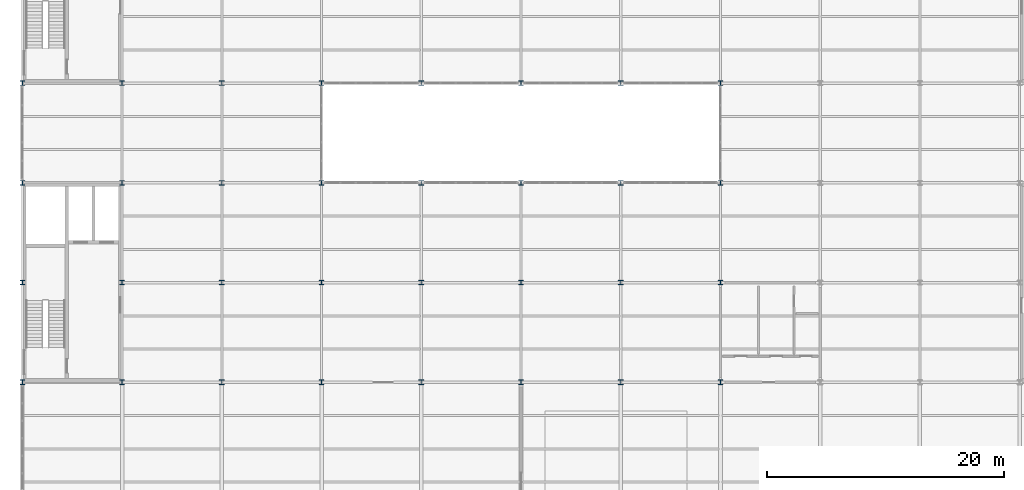
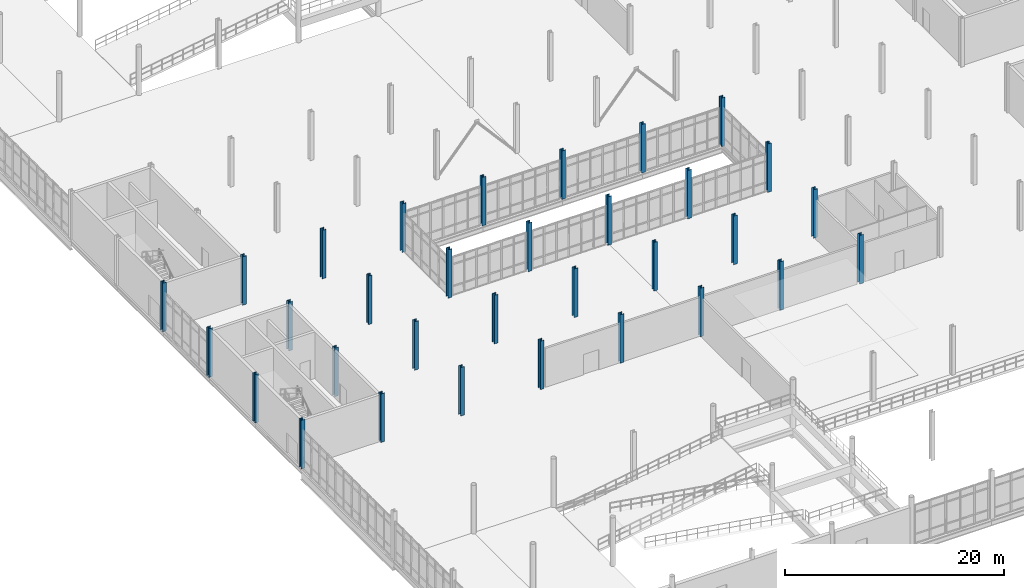
# One storey, part 3 of 111: 32 columns.
"""IFC4 building model written with IfcOpenShell, lengths in metres."""

import ifcopenshell
import ifcopenshell.guid

model = None  # the IFC model being written
_history = None  # IfcOwnerHistory: only IFC2X3 demands one
_inside = {}  # id of a spatial element -> (the spatial element, [elements in it])
_under = {}  # id of a project, library or spatial element -> (it, [spatial elements below it])
_declared = {}  # id of a project -> (the project, [libraries it declares])
_typed = {}  # id of a type object -> (the type object, [elements of that type])
_made_of = {}  # id of a material, layer set ... -> (it, [elements and type objects made of it])


def new_model(schema):
    """Start an empty IFC model of exactly this schema.

    Asked for "IFC4X3", IfcOpenShell would pick the latest addendum, in which some entities
    have other attributes; the version numbers below select the first issue.
    IFC2X3 requires an IfcOwnerHistory on every rooted entity: one is made here for all.
    """
    global model, _history
    if schema == "IFC4X3":
        model = ifcopenshell.file(schema_version=(4, 3, 0, 0))
    else:
        model = ifcopenshell.file(schema=schema)
    _inside.clear()
    _under.clear()
    _declared.clear()
    _typed.clear()
    _made_of.clear()
    _history = None
    if model.schema == "IFC2X3":
        org = make("IfcOrganization", Name="unknown")
        user = make(
            "IfcPersonAndOrganization",
            ThePerson=make("IfcPerson", FamilyName="unknown"),
            TheOrganization=org,
        )
        app = make(
            "IfcApplication",
            ApplicationDeveloper=org,
            Version="unknown",
            ApplicationFullName="unknown",
            ApplicationIdentifier="unknown",
        )
        _history = make(
            "IfcOwnerHistory",
            OwningUser=user,
            OwningApplication=app,
            ChangeAction="ADDED",
            CreationDate=0,
        )
    return model


def make(cls, **values):
    """One entity of the class cls with the attributes given. An attribute that is None is left unset."""
    return model.create_entity(
        cls, **{name: value for name, value in values.items() if value is not None}
    )


def rooted(cls, **values):
    """An entity with a GlobalId (a new one), such as an element, a storey or a relation."""
    return make(cls, GlobalId=ifcopenshell.guid.new(), OwnerHistory=_history, **values)


def si_unit(unit_type, name, prefix=None):
    """IfcSIUnit, for example si_unit("LENGTHUNIT", "METRE", prefix="MILLI")."""
    return make("IfcSIUnit", UnitType=unit_type, Prefix=prefix, Name=name)


def assignment(units):
    """IfcUnitAssignment: the units of a project."""
    return None if units is None else make("IfcUnitAssignment", Units=units)


def point(xyz):
    """IfcCartesianPoint."""
    return None if xyz is None else make("IfcCartesianPoint", Coordinates=xyz)


def direction(xyz):
    """IfcDirection."""
    return None if xyz is None else make("IfcDirection", DirectionRatios=xyz)


def frame(location, z_axis=None, x_axis=None):
    """IfcAxis2Placement3D, a coordinate frame: its origin and axes. An axis left out is left unset."""
    return make(
        "IfcAxis2Placement3D",
        Location=point(location),
        Axis=direction(z_axis),
        RefDirection=direction(x_axis),
    )


def frame_2d(location, x_axis=None):
    """IfcAxis2Placement2D, a coordinate frame in the plane: its origin and x axis."""
    return make(
        "IfcAxis2Placement2D", Location=point(location), RefDirection=direction(x_axis)
    )


def origin():
    """The frame at (0, 0, 0) with its axes left unset."""
    return frame((0.0, 0.0, 0.0))


def origin_2d():
    """The frame at (0, 0) in the plane with its x axis left unset."""
    return frame_2d((0.0, 0.0))


def place(relative_to, where):
    """IfcLocalPlacement: puts the frame where relative to a parent placement (None: the world)."""
    return make(
        "IfcLocalPlacement", PlacementRelTo=relative_to, RelativePlacement=where
    )


def context(
    kind, dimensions, precision=None, world=None, true_north=None, identifier=None
):
    """IfcGeometricRepresentationContext, for example the 3D "Model" context."""
    return make(
        "IfcGeometricRepresentationContext",
        ContextIdentifier=identifier,
        ContextType=kind,
        CoordinateSpaceDimension=dimensions,
        Precision=precision,
        WorldCoordinateSystem=world,
        TrueNorth=true_north,
    )


def subcontext(parent, identifier, kind, view, scale=None):
    """IfcGeometricRepresentationSubContext, for example "Body" below "Model"."""
    return make(
        "IfcGeometricRepresentationSubContext",
        ContextIdentifier=identifier,
        ContextType=kind,
        ParentContext=parent,
        TargetScale=scale,
        TargetView=view,
    )


def project(units=None, contexts=None):
    """IfcProject with its units and contexts."""
    return rooted(
        "IfcProject",
        Name="project",
        RepresentationContexts=contexts,
        UnitsInContext=assignment(units),
    )


def spatial(cls, under=None, at=None, **own):
    """A site, building, storey or space (cls), placed at a placement, below another one or the project."""
    s = rooted(cls, ObjectPlacement=at, **own)
    if under is not None:
        _under.setdefault(under.id(), (under, []))[1].append(s)
    return s


def profile(cls, at=None, kind="AREA", **sizes):
    """A parametric profile (cls). Its sizes go by their IFC names, for example OverallWidth=200.0."""
    return make(cls, ProfileType=kind, Position=at, **sizes)


def i_section(**sizes):
    """IfcIShapeProfileDef."""
    return profile("IfcIShapeProfileDef", **sizes)


def extrude(swept, where, along, depth):
    """IfcExtrudedAreaSolid: the profile swept, set in the frame where, extruded along a direction by depth."""
    return make(
        "IfcExtrudedAreaSolid",
        SweptArea=swept,
        Position=where,
        ExtrudedDirection=direction(along),
        Depth=depth,
    )


def shape(context_of_items, identifier, shape_type, items):
    """IfcShapeRepresentation: the items that make up one representation, for example the "Body"."""
    return make(
        "IfcShapeRepresentation",
        ContextOfItems=context_of_items,
        RepresentationIdentifier=identifier,
        RepresentationType=shape_type,
        Items=items,
    )


def material(Name=None, Category=None):
    """IfcMaterial."""
    return make("IfcMaterial", Name=Name, Category=Category)


def material_profile(
    of_material, cross_section, Name=None, Category=None, Priority=None
):
    """IfcMaterialProfile: a cross section and its material."""
    return make(
        "IfcMaterialProfile",
        Name=Name,
        Material=of_material,
        Profile=cross_section,
        Priority=Priority,
        Category=Category,
    )


def profile_set(profiles, Name=None, composite=None):
    """IfcMaterialProfileSet."""
    return make(
        "IfcMaterialProfileSet",
        Name=Name,
        MaterialProfiles=profiles,
        CompositeProfile=composite,
    )


def made_of(thing, what):
    """Note that an element or type object is made of a material, layer set ...; save() writes the relation."""
    if what is not None:
        _made_of.setdefault(what.id(), (what, []))[1].append(thing)
    return thing


def type_object(cls, material=None, **own):
    """A type object (cls), such as IfcWallType, which elements share."""
    return made_of(rooted(cls, **own), material)


def element(
    cls,
    number,
    at=None,
    inside=None,
    cuts=None,
    type_object=None,
    material=None,
    context=None,
    identifier="Body",
    shape_type=None,
    held_by="IfcProductDefinitionShape",
    body=None,
    shapes=None,
    **own,
):
    """One element of the class cls, such as IfcWall. Its Tag is "e" and its number.

    at: its placement. inside: the storey or other place that contains it. cuts: it is an
    opening in that element (IfcRelVoidsElement). A single representation is given by context,
    identifier, shape_type and body (its items); several are given by shapes. held_by: the class
    of the entity that holds the representations. save() writes the other relations.
    """
    e = rooted(cls, Tag="e%d" % number, ObjectPlacement=at, **own)
    if body is not None:
        shapes = [shape(context, identifier, shape_type, body)]
    if shapes is not None:
        e.Representation = make(held_by, Representations=shapes)
    if inside is not None:
        _inside.setdefault(inside.id(), (inside, []))[1].append(e)
    if cuts is not None:
        rooted(
            "IfcRelVoidsElement", RelatingBuildingElement=cuts, RelatedOpeningElement=e
        )
    if type_object is not None:
        _typed.setdefault(type_object.id(), (type_object, []))[1].append(e)
    return made_of(e, material)


def aggregate(whole, parts):
    """IfcRelAggregates: a whole, such as a stair, and the parts it consists of."""
    return rooted("IfcRelAggregates", RelatingObject=whole, RelatedObjects=parts)


def save(model, path):
    """Write the relations noted so far, then the file.

    IfcRelAggregates (storeys below a building ...), IfcRelContainedInSpatialStructure (elements
    in a storey), IfcRelDefinesByType, IfcRelAssociatesMaterial and IfcRelDeclares: one each for
    every whole, place, type object, material and project.
    """
    for whole, parts in _under.values():
        aggregate(whole, parts)
    for where, things in _inside.values():
        rooted(
            "IfcRelContainedInSpatialStructure",
            RelatedElements=things,
            RelatingStructure=where,
        )
    for kind, things in _typed.values():
        rooted("IfcRelDefinesByType", RelatedObjects=things, RelatingType=kind)
    for what, things in _made_of.values():
        rooted("IfcRelAssociatesMaterial", RelatedObjects=things, RelatingMaterial=what)
    for by, libraries in _declared.values():
        rooted("IfcRelDeclares", RelatingContext=by, RelatedDefinitions=libraries)
    model.write(path)


model = new_model("IFC4")

# Units and contexts
model_context = context("Model", 3, precision=1e-05, world=origin(), true_north=direction((0.0, 1.0)))
body_context = subcontext(model_context, "Body", "Model", "MODEL_VIEW")
ifc_project = project(units=[si_unit("LENGTHUNIT", "METRE"), si_unit("AREAUNIT", "SQUARE_METRE"), si_unit("VOLUMEUNIT", "CUBIC_METRE"), si_unit("PLANEANGLEUNIT", "RADIAN"), si_unit("MASSUNIT", "GRAM", prefix="KILO"), si_unit("THERMODYNAMICTEMPERATUREUNIT", "KELVIN"), si_unit("POWERUNIT", "WATT")], contexts=[model_context])

# Site, building, storey
site_placement = place(None, origin())
site = spatial("IfcSite", under=ifc_project, at=site_placement, CompositionType="ELEMENT")
building_placement = place(site_placement, origin())
building = spatial("IfcBuilding", under=site, at=building_placement, Name="Tembeka Court Mobility Hub", CompositionType="ELEMENT")
storey_placement = place(building_placement, origin())
storey = spatial("IfcBuildingStorey", under=building, at=storey_placement, Name="L00", CompositionType="ELEMENT", Elevation=0.0)

# Columns
ifc_material = material(Name="Steel S355", Category="steel")
ifc_material_profile = material_profile(ifc_material, i_section(OverallWidth=0.39892578125, OverallDepth=0.39404296875, WebThickness=0.022705078125, FlangeThickness=0.03662109375, FilletRadius=0.01513671875, at=origin_2d()), Name="UKC 356x406x287")
ifc_profile_set = profile_set([ifc_material_profile], Name="Steel S355")
column_type = type_object("IfcColumnType", Name="COL-C01", PredefinedType="COLUMN", material=ifc_profile_set)
for number, where, z_axis, x_axis, name in (
    (1, (0.0, 38.39990234375, 0.0), (0.0, 0.0, 1.0), (1.0, 0.0, 0.0), "Column C01 (L00-004)"),
    (2, (0.0, 46.800048828125, 0.0), (0.0, 0.0, 1.0), (1.0, 0.0, 0.0), "Column C01 (L00-005)"),
    (3, (0.0, 55.199951171875, 0.0), (0.0, 0.0, 1.0), (1.0, 0.0, 0.0), "Column C01 (L00-006)"),
    (4, (0.0, 63.60009765625, 0.0), (0.0, 0.0, 1.0), (1.0, 0.0, 0.0), "Column C01 (L00-007)"),
    (5, (8.39990234375, 38.39990234375, 0.0), (0.0, 0.0, 1.0), (1.0, 0.0, 0.0), "Column C01 (L00-016)"),
    (6, (8.39990234375, 46.800048828125, 0.0), (0.0, 0.0, 1.0), (1.0, 0.0, 0.0), "Column C01 (L00-017)"),
    (7, (8.39990234375, 55.199951171875, 0.0), (0.0, 0.0, 1.0), (1.0, 0.0, 0.0), "Column C01 (L00-018)"),
    (8, (8.39990234375, 63.60009765625, 0.0), (0.0, 0.0, 1.0), (1.0, 0.0, 0.0), "Column C01 (L00-019)"),
    (9, (16.800048828125, 38.39990234375, 0.0), (0.0, 0.0, 1.0), (1.0, 0.0, 0.0), "Column C01 (L00-028)"),
    (10, (16.800048828125, 46.800048828125, 0.0), (0.0, 0.0, 1.0), (1.0, 0.0, 0.0), "Column C01 (L00-029)"),
    (11, (16.800048828125, 55.199951171875, 0.0), (0.0, 0.0, 1.0), (1.0, 0.0, 0.0), "Column C01 (L00-030)"),
    (12, (16.800048828125, 63.60009765625, 0.0), (0.0, 0.0, 1.0), (1.0, 0.0, 0.0), "Column C01 (L00-031)"),
    (13, (25.199951171875, 38.39990234375, 0.0), (0.0, 0.0, 1.0), (1.0, 0.0, 0.0), "Column C01 (L00-039)"),
    (14, (25.199951171875, 46.800048828125, 0.0), (0.0, 0.0, 1.0), (1.0, 0.0, 0.0), "Column C01 (L00-040)"),
    (15, (25.199951171875, 55.199951171875, 0.0), (0.0, 0.0, 1.0), (1.0, 0.0, 0.0), "Column C01 (L00-041)"),
    (16, (25.199951171875, 63.60009765625, 0.0), (0.0, 0.0, 1.0), (1.0, 0.0, 0.0), "Column C01 (L00-042)"),
    (17, (33.60009765625, 38.39990234375, 0.0), (0.0, 0.0, 1.0), (1.0, 0.0, 0.0), "Column C01 (L00-050)"),
    (18, (33.60009765625, 46.800048828125, 0.0), (0.0, 0.0, 1.0), (1.0, 0.0, 0.0), "Column C01 (L00-051)"),
    (19, (33.60009765625, 55.199951171875, 0.0), (0.0, 0.0, 1.0), (1.0, 0.0, 0.0), "Column C01 (L00-052)"),
    (20, (33.60009765625, 63.60009765625, 0.0), (0.0, 0.0, 1.0), (1.0, 0.0, 0.0), "Column C01 (L00-053)"),
    (21, (42.0, 38.39990234375, 0.0), (0.0, 0.0, 1.0), (1.0, 0.0, 0.0), "Column C01 (L00-062)"),
    (22, (42.0, 46.800048828125, 0.0), (0.0, 0.0, 1.0), (1.0, 0.0, 0.0), "Column C01 (L00-063)"),
    (23, (42.0, 55.199951171875, 0.0), (0.0, 0.0, 1.0), (1.0, 0.0, 0.0), "Column C01 (L00-064)"),
    (24, (42.0, 63.60009765625, 0.0), (0.0, 0.0, 1.0), (1.0, 0.0, 0.0), "Column C01 (L00-065)"),
    (25, (50.39990234375, 38.39990234375, 0.0), (0.0, 0.0, 1.0), (1.0, 0.0, 0.0), "Column C01 (L00-074)"),
    (26, (50.39990234375, 46.800048828125, 0.0), (0.0, 0.0, 1.0), (1.0, 0.0, 0.0), "Column C01 (L00-075)"),
    (27, (50.39990234375, 55.199951171875, 0.0), (0.0, 0.0, 1.0), (1.0, 0.0, 0.0), "Column C01 (L00-076)"),
    (28, (50.39990234375, 63.60009765625, 0.0), (0.0, 0.0, 1.0), (1.0, 0.0, 0.0), "Column C01 (L00-077)"),
    (29, (58.800048828125, 38.39990234375, 0.0), (0.0, 0.0, 1.0), (1.0, 0.0, 0.0), "Column C01 (L00-085)"),
    (30, (58.800048828125, 46.800048828125, 0.0), (0.0, 0.0, 1.0), (1.0, 0.0, 0.0), "Column C01 (L00-086)"),
    (31, (58.800048828125, 55.199951171875, 0.0), (0.0, 0.0, 1.0), (1.0, 0.0, 0.0), "Column C01 (L00-087)"),
    (32, (58.800048828125, 63.60009765625, 0.0), (0.0, 0.0, 1.0), (1.0, 0.0, 0.0), "Column C01 (L00-088)"),
):
    element("IfcColumn", number, at=place(storey_placement, frame(where, z_axis=z_axis, x_axis=x_axis)), inside=storey, type_object=column_type, Name=name, PredefinedType="COLUMN", context=body_context, shape_type="SweptSolid", body=[
        extrude(i_section(OverallWidth=0.39892578125, OverallDepth=0.39404296875, WebThickness=0.022705078125, FlangeThickness=0.03662109375, FilletRadius=0.01513671875, at=origin_2d()), origin(), (0.0, 0.0, 1.0), 5.39990234375),
    ])

save(model, "model.ifc")
